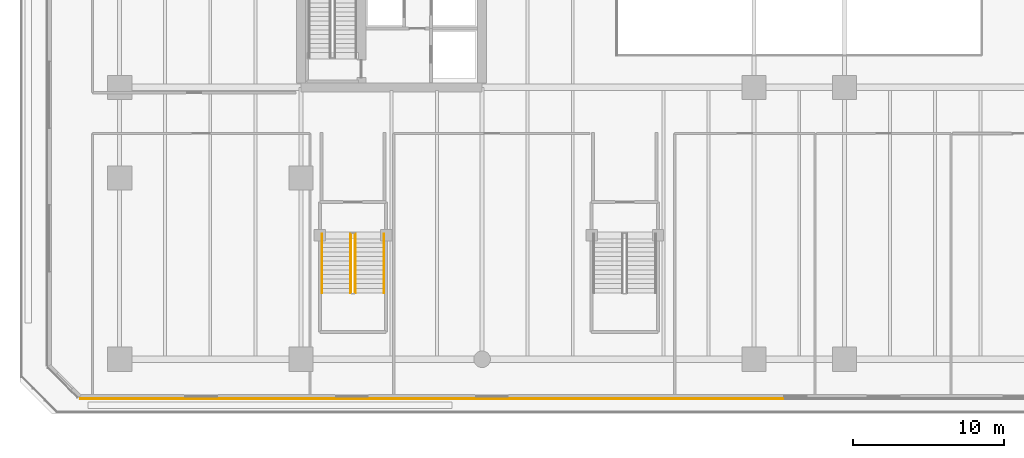
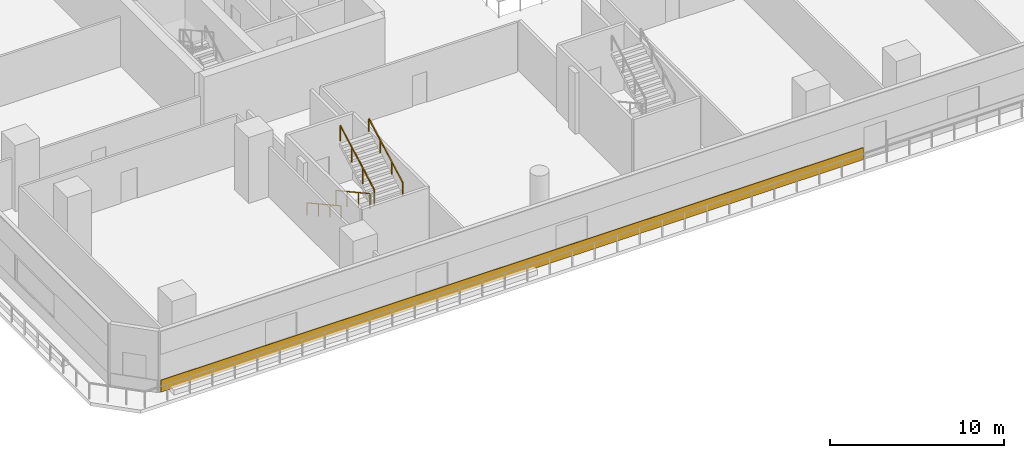
# One storey, part 12 of 27: 4 railings, 1 covering.
"""IFC4 building model written with IfcOpenShell, lengths in metres."""

from ifc_helpers import new_model, si_unit, direction, frame, origin, origin_2d, place, context, subcontext, project, spatial, rectangle, extrude, material, layer, layer_set, type_object, element, save


model = new_model("IFC4")

# Units and contexts
model_context = context("Model", 3, precision=1e-05, world=origin(), true_north=direction((0.0, 1.0)))
body_context = subcontext(model_context, "Body", "Model", "MODEL_VIEW")
ifc_project = project(units=[si_unit("LENGTHUNIT", "METRE"), si_unit("AREAUNIT", "SQUARE_METRE"), si_unit("VOLUMEUNIT", "CUBIC_METRE"), si_unit("PLANEANGLEUNIT", "RADIAN"), si_unit("MASSUNIT", "GRAM", prefix="KILO")], contexts=[model_context])

# Site, building, storey
site_placement = place(None, origin())
site = spatial("IfcSite", under=ifc_project, at=site_placement, CompositionType="ELEMENT")
building_placement = place(site_placement, origin())
building = spatial("IfcBuilding", under=site, at=building_placement, Name="Tanjung Sevakor Pilgrim Tower", CompositionType="ELEMENT")
storey_placement = place(building_placement, frame((0.0, 0.0, 19.469970703125)))
storey = spatial("IfcBuildingStorey", under=building, at=storey_placement, Name="L05", CompositionType="ELEMENT", Elevation=19.469970703125)

# Covering
ifc_material_1 = material(Name="Reconstructed Limestone Cladding", Category="masonry")
ifc_layer = layer(ifc_material_1, 0.044921875)
ifc_layer_set = layer_set([ifc_layer], Name="COV-CLAD-LIMESTONE")
covering_type = type_object("IfcCoveringType", Name="COV-CLAD-LIMESTONE", PredefinedType="CLADDING", material=ifc_layer_set)
covering_placement = place(storey_placement, frame((32.6689453125, 3.9775390625, 0.009765625), z_axis=(0.0, 0.0, 1.0), x_axis=(1.0, 0.0, 0.0)))
element("IfcCovering", 1, at=covering_placement, inside=storey, type_object=covering_type, Name="L05 Warm Limestone Sill Spandrel EW-L05-MAIN-1-1", PredefinedType="CLADDING", context=body_context, shape_type="SweptSolid", body=[
    extrude(rectangle(XDim=46.5419921875, YDim=0.044921875, at=origin_2d()), origin(), (0.0, 0.0, 1.0), 0.840087890625),
])

# Railings
ifc_material_2 = material(Name="Steel S355J2", Category="steel")
railing_type_1 = type_object("IfcRailingType", Name="RL-STAIR-GUARD", PredefinedType="GUARDRAIL", material=ifc_material_2)
railing_1_placement = place(storey_placement, frame((27.300048828125, 14.89990234375, 0.1650390625)))
element("IfcRailing", 2, at=railing_1_placement, inside=storey, type_object=railing_type_1, Name="L05 PS-1 stair guard 1", PredefinedType="GUARDRAIL", context=body_context, shape_type="SweptSolid", body=[
    extrude(rectangle(XDim=0.0479, YDim=0.0479), frame((0.0, 0.0, 1.076171875), z_axis=(0.0, -0.876208959939, 0.481931383625), x_axis=(1.0, 0.0, 0.0)), (0.0, 0.0, 1.0), 4.450927734375),
    extrude(rectangle(XDim=0.042, YDim=0.042), origin(), (0.0, 0.0, 1.0), 1.052001953125),
    extrude(rectangle(XDim=0.042, YDim=0.042), frame((0.0, -1.300048828125, 0.715087890625)), (0.0, 0.0, 1.0), 1.052001953125),
    extrude(rectangle(XDim=0.042, YDim=0.042), frame((0.0, -2.599853515625, 1.429931640625)), (0.0, 0.0, 1.0), 1.052001953125),
    extrude(rectangle(XDim=0.042, YDim=0.042), frame((0.0, -3.89990234375, 2.14501953125)), (0.0, 0.0, 1.0), 1.052001953125),
])
railing_2_placement = place(storey_placement, frame((27.60009765625, 11.0, 2.47509765625)))
element("IfcRailing", 3, at=railing_2_placement, inside=storey, type_object=railing_type_1, Name="L05 PS-1 stair guard 3", PredefinedType="GUARDRAIL", context=body_context, shape_type="SweptSolid", body=[
    extrude(rectangle(XDim=0.0479, YDim=0.0479), frame((0.0, 0.0, 1.076171875), z_axis=(0.0, 0.876208959939, 0.481931383625), x_axis=(-1.0, 0.0, 0.0)), (0.0, 0.0, 1.0), 4.450927734375),
    extrude(rectangle(XDim=0.042, YDim=0.042), origin(), (0.0, 0.0, 1.0), 1.052001953125),
    extrude(rectangle(XDim=0.042, YDim=0.042), frame((0.0, 1.300048828125, 0.715087890625)), (0.0, 0.0, 1.0), 1.052001953125),
    extrude(rectangle(XDim=0.042, YDim=0.042), frame((0.0, 2.599853515625, 1.429931640625)), (0.0, 0.0, 1.0), 1.052001953125),
    extrude(rectangle(XDim=0.042, YDim=0.042), frame((0.0, 3.89990234375, 2.14501953125)), (0.0, 0.0, 1.0), 1.052001953125),
])
ifc_material_3 = material(Name="Steel S355J2", Category="steel")
railing_type_2 = type_object("IfcRailingType", Name="RL-STAIR-HAND", PredefinedType="HANDRAIL", material=ifc_material_3)
railing_3_placement = place(storey_placement, frame((25.39990234375, 14.89990234375, 0.1650390625)))
element("IfcRailing", 4, at=railing_3_placement, inside=storey, type_object=railing_type_2, Name="L05 PS-1 stair handrail 1", PredefinedType="HANDRAIL", context=body_context, shape_type="SweptSolid", body=[
    extrude(rectangle(XDim=0.0479, YDim=0.0479), frame((0.0, 0.0, 0.8759765625), z_axis=(0.0, -0.876208959939, 0.481931383625), x_axis=(1.0, 0.0, 0.0)), (0.0, 0.0, 1.0), 4.450927734375),
    extrude(rectangle(XDim=0.042, YDim=0.042), origin(), (0.0, 0.0, 1.0), 0.851806640625),
    extrude(rectangle(XDim=0.042, YDim=0.042), frame((0.0, -1.300048828125, 0.715087890625)), (0.0, 0.0, 1.0), 0.851806640625),
    extrude(rectangle(XDim=0.042, YDim=0.042), frame((0.0, -2.599853515625, 1.429931640625)), (0.0, 0.0, 1.0), 0.851806640625),
    extrude(rectangle(XDim=0.042, YDim=0.042), frame((0.0, -3.89990234375, 2.14501953125)), (0.0, 0.0, 1.0), 0.851806640625),
])
railing_4_placement = place(storey_placement, frame((29.5, 11.0, 2.47509765625)))
element("IfcRailing", 5, at=railing_4_placement, inside=storey, type_object=railing_type_2, Name="L05 PS-1 stair handrail 2", PredefinedType="HANDRAIL", context=body_context, shape_type="SweptSolid", body=[
    extrude(rectangle(XDim=0.0479, YDim=0.0479), frame((0.0, 0.0, 0.8759765625), z_axis=(0.0, 0.876208959939, 0.481931383625), x_axis=(-1.0, 0.0, 0.0)), (0.0, 0.0, 1.0), 4.450927734375),
    extrude(rectangle(XDim=0.042, YDim=0.042), origin(), (0.0, 0.0, 1.0), 0.851806640625),
    extrude(rectangle(XDim=0.042, YDim=0.042), frame((0.0, 1.300048828125, 0.715087890625)), (0.0, 0.0, 1.0), 0.851806640625),
    extrude(rectangle(XDim=0.042, YDim=0.042), frame((0.0, 2.599853515625, 1.429931640625)), (0.0, 0.0, 1.0), 0.851806640625),
    extrude(rectangle(XDim=0.042, YDim=0.042), frame((0.0, 3.89990234375, 2.14501953125)), (0.0, 0.0, 1.0), 0.851806640625),
])

save(model, "model.ifc")
